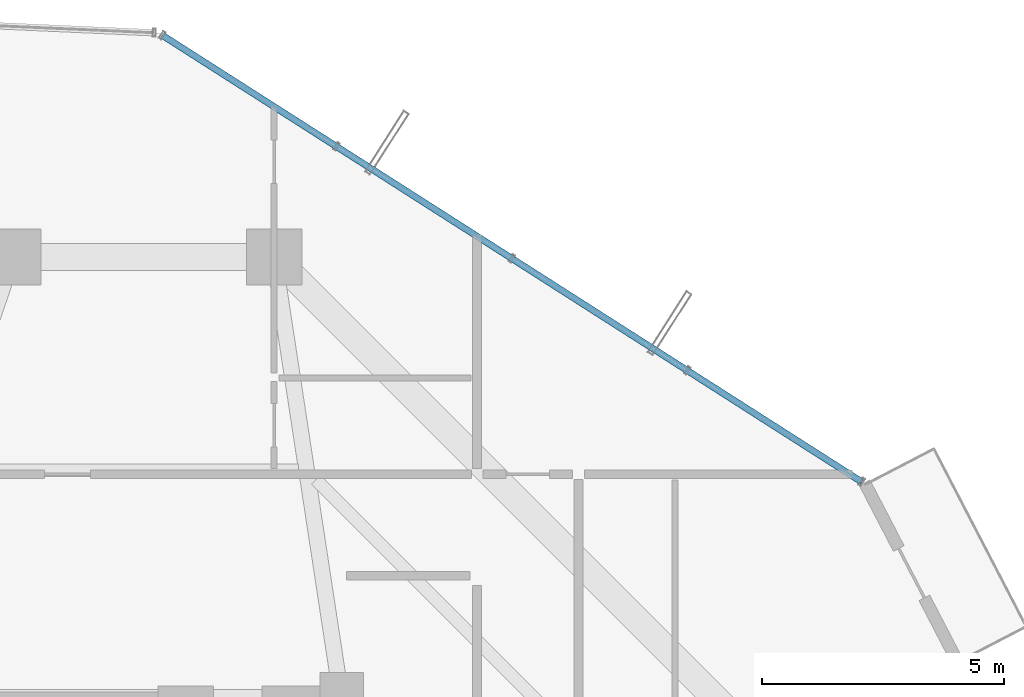
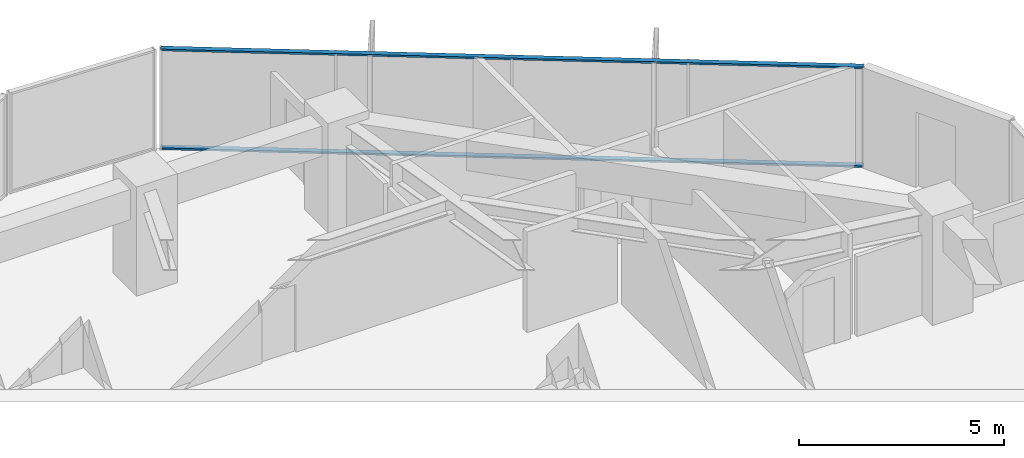
# One storey, part 22 of 30: 2 members, 1 element without a shape of its own.
"""IFC4 building model written with IfcOpenShell, lengths in metres."""

from ifc_helpers import new_model, si_unit, direction, frame, origin, origin_2d, place, context, subcontext, project, spatial, hollow_rectangle, extrude, source, transform, mapped, material, layer, layer_set, material_profile, profile_set, type_object, element, aggregate, save


model = new_model("IFC4")

# Units and contexts
model_context = context("Model", 3, precision=1e-05, world=origin(), true_north=direction((0.0, 1.0)))
body_context = subcontext(model_context, "Body", "Model", "MODEL_VIEW")
ifc_project = project(units=[si_unit("LENGTHUNIT", "METRE"), si_unit("AREAUNIT", "SQUARE_METRE"), si_unit("VOLUMEUNIT", "CUBIC_METRE"), si_unit("PLANEANGLEUNIT", "RADIAN"), si_unit("MASSUNIT", "GRAM", prefix="KILO")], contexts=[model_context])

# Site, building, storey
site_placement = place(None, origin())
site = spatial("IfcSite", under=ifc_project, at=site_placement, CompositionType="ELEMENT")
building_placement = place(site_placement, origin())
building = spatial("IfcBuilding", under=site, at=building_placement, Name="Veraguas Prism Commons", CompositionType="ELEMENT")
storey_placement = place(building_placement, frame((0.0, 0.0, 119.75)))
storey = spatial("IfcBuildingStorey", under=building, at=storey_placement, Name="L33", CompositionType="ELEMENT", Elevation=119.75)

# Curtain wall, members
ifc_material = material(Name="Anodised aluminium EN AW-6063 T6", Category="aluminium")
ifc_layer = layer(ifc_material, 0.169921875, Name="Unitised Flush Curtain Wall Zone 2", Category="aluminium")
ifc_layer_set = layer_set([ifc_layer], Name="Anodised aluminium EN AW-6063 T6")
curtain_wall_type = type_object("IfcCurtainWallType", Name="Unitised Flush Curtain Wall Zone 2", PredefinedType="NOTDEFINED", material=ifc_layer_set)
curtain_wall_placement = place(storey_placement, origin())
curtain_wall = element("IfcCurtainWall", 1, at=curtain_wall_placement, inside=storey, type_object=curtain_wall_type, Name="Tower Facade Curtain Wall L33-F1", PredefinedType="NOTDEFINED")
ifc_material_profile = material_profile(ifc_material, hollow_rectangle(XDim=0.054931640625, YDim=0.135009765625, WallThickness=0.0029296875, at=origin_2d()), Name="AL55X135X3")
ifc_profile_set = profile_set([ifc_material_profile], Name="Anodised aluminium EN AW-6063 T6")
member_type = type_object("IfcMemberType", Name="Curtain Wall Transom Standard AL 55x135x3", PredefinedType="USERDEFINED", material=ifc_profile_set)
shared_shape = source(origin(), body_context, "Body", "SweptSolid", [
    extrude(hollow_rectangle(XDim=0.054931640625, YDim=0.135009765625, WallThickness=0.0029296875, at=origin_2d()), origin(), (0.0, 0.0, 1.0), 17.17431640625),
])
member_1_placement = place(storey_placement, frame((41.56103515625, 35.546142578125, 0.027587890625), z_axis=(-0.842825764403, 0.53818652051, 0.0), x_axis=(0.0, 0.0, 1.0)))
member_1 = element("IfcMember", 2, at=member_1_placement, type_object=member_type, Name="CW-Z2 Transom 1", ObjectType="TRANSOM", PredefinedType="USERDEFINED", context=body_context, shape_type="MappedRepresentation", body=[
    mapped(shared_shape, transform((0.0, 0.0, 0.0), scale=1.0)),
])
member_2_placement = place(storey_placement, frame((41.56103515625, 35.546142578125, 2.972412109375), z_axis=(-0.842825764403, 0.53818652051, 0.0), x_axis=(0.0, 0.0, 1.0)))
member_2 = element("IfcMember", 3, at=member_2_placement, type_object=member_type, Name="CW-Z2 Transom 2", ObjectType="TRANSOM", PredefinedType="USERDEFINED", context=body_context, shape_type="MappedRepresentation", body=[
    mapped(shared_shape, transform((0.0, 0.0, 0.0), scale=1.0)),
])
aggregate(curtain_wall, [member_1, member_2])

save(model, "model.ifc")
